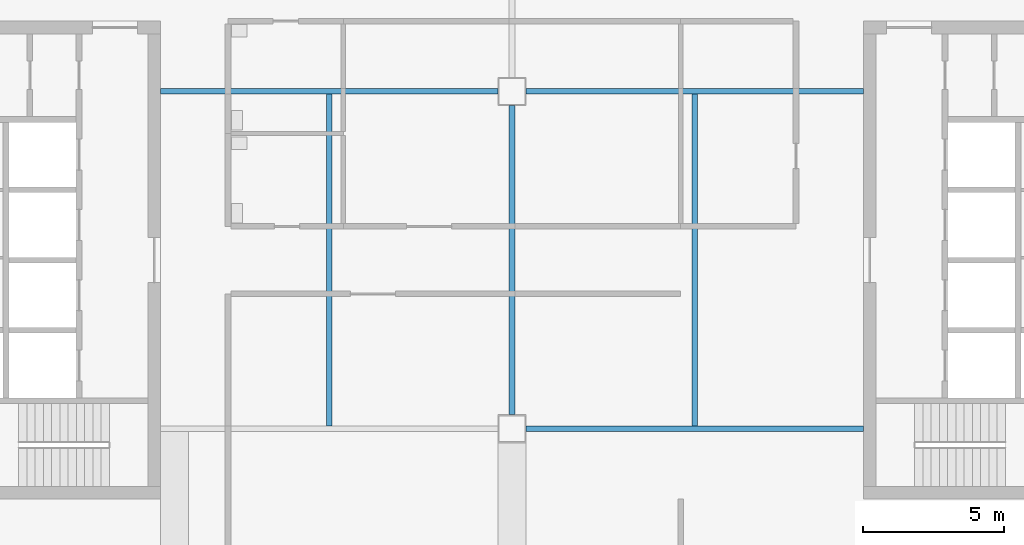
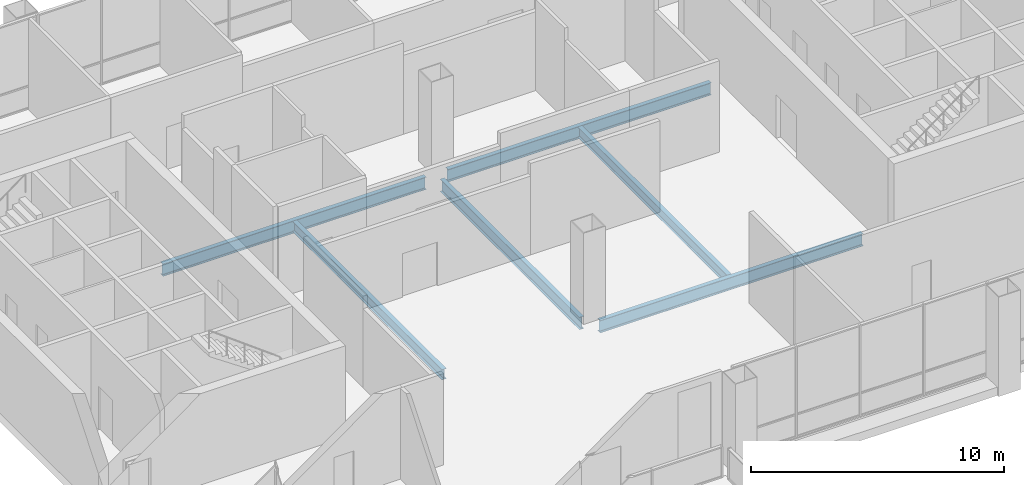
# One storey, part 5 of 15: 6 beams.
"""IFC4 building model written with IfcOpenShell, lengths in metres."""

import ifcopenshell
import ifcopenshell.guid

model = None  # the IFC model being written
_history = None  # IfcOwnerHistory: only IFC2X3 demands one
_inside = {}  # id of a spatial element -> (the spatial element, [elements in it])
_under = {}  # id of a project, library or spatial element -> (it, [spatial elements below it])
_declared = {}  # id of a project -> (the project, [libraries it declares])
_typed = {}  # id of a type object -> (the type object, [elements of that type])
_made_of = {}  # id of a material, layer set ... -> (it, [elements and type objects made of it])


def new_model(schema):
    """Start an empty IFC model of exactly this schema.

    Asked for "IFC4X3", IfcOpenShell would pick the latest addendum, in which some entities
    have other attributes; the version numbers below select the first issue.
    IFC2X3 requires an IfcOwnerHistory on every rooted entity: one is made here for all.
    """
    global model, _history
    if schema == "IFC4X3":
        model = ifcopenshell.file(schema_version=(4, 3, 0, 0))
    else:
        model = ifcopenshell.file(schema=schema)
    _inside.clear()
    _under.clear()
    _declared.clear()
    _typed.clear()
    _made_of.clear()
    _history = None
    if model.schema == "IFC2X3":
        org = make("IfcOrganization", Name="unknown")
        user = make(
            "IfcPersonAndOrganization",
            ThePerson=make("IfcPerson", FamilyName="unknown"),
            TheOrganization=org,
        )
        app = make(
            "IfcApplication",
            ApplicationDeveloper=org,
            Version="unknown",
            ApplicationFullName="unknown",
            ApplicationIdentifier="unknown",
        )
        _history = make(
            "IfcOwnerHistory",
            OwningUser=user,
            OwningApplication=app,
            ChangeAction="ADDED",
            CreationDate=0,
        )
    return model


def make(cls, **values):
    """One entity of the class cls with the attributes given. An attribute that is None is left unset."""
    return model.create_entity(
        cls, **{name: value for name, value in values.items() if value is not None}
    )


def rooted(cls, **values):
    """An entity with a GlobalId (a new one), such as an element, a storey or a relation."""
    return make(cls, GlobalId=ifcopenshell.guid.new(), OwnerHistory=_history, **values)


def si_unit(unit_type, name, prefix=None):
    """IfcSIUnit, for example si_unit("LENGTHUNIT", "METRE", prefix="MILLI")."""
    return make("IfcSIUnit", UnitType=unit_type, Prefix=prefix, Name=name)


def assignment(units):
    """IfcUnitAssignment: the units of a project."""
    return None if units is None else make("IfcUnitAssignment", Units=units)


def point(xyz):
    """IfcCartesianPoint."""
    return None if xyz is None else make("IfcCartesianPoint", Coordinates=xyz)


def direction(xyz):
    """IfcDirection."""
    return None if xyz is None else make("IfcDirection", DirectionRatios=xyz)


def frame(location, z_axis=None, x_axis=None):
    """IfcAxis2Placement3D, a coordinate frame: its origin and axes. An axis left out is left unset."""
    return make(
        "IfcAxis2Placement3D",
        Location=point(location),
        Axis=direction(z_axis),
        RefDirection=direction(x_axis),
    )


def frame_2d(location, x_axis=None):
    """IfcAxis2Placement2D, a coordinate frame in the plane: its origin and x axis."""
    return make(
        "IfcAxis2Placement2D", Location=point(location), RefDirection=direction(x_axis)
    )


def origin():
    """The frame at (0, 0, 0) with its axes left unset."""
    return frame((0.0, 0.0, 0.0))


def origin_2d():
    """The frame at (0, 0) in the plane with its x axis left unset."""
    return frame_2d((0.0, 0.0))


def place(relative_to, where):
    """IfcLocalPlacement: puts the frame where relative to a parent placement (None: the world)."""
    return make(
        "IfcLocalPlacement", PlacementRelTo=relative_to, RelativePlacement=where
    )


def context(
    kind, dimensions, precision=None, world=None, true_north=None, identifier=None
):
    """IfcGeometricRepresentationContext, for example the 3D "Model" context."""
    return make(
        "IfcGeometricRepresentationContext",
        ContextIdentifier=identifier,
        ContextType=kind,
        CoordinateSpaceDimension=dimensions,
        Precision=precision,
        WorldCoordinateSystem=world,
        TrueNorth=true_north,
    )


def subcontext(parent, identifier, kind, view, scale=None):
    """IfcGeometricRepresentationSubContext, for example "Body" below "Model"."""
    return make(
        "IfcGeometricRepresentationSubContext",
        ContextIdentifier=identifier,
        ContextType=kind,
        ParentContext=parent,
        TargetScale=scale,
        TargetView=view,
    )


def project(units=None, contexts=None):
    """IfcProject with its units and contexts."""
    return rooted(
        "IfcProject",
        Name="project",
        RepresentationContexts=contexts,
        UnitsInContext=assignment(units),
    )


def spatial(cls, under=None, at=None, **own):
    """A site, building, storey or space (cls), placed at a placement, below another one or the project."""
    s = rooted(cls, ObjectPlacement=at, **own)
    if under is not None:
        _under.setdefault(under.id(), (under, []))[1].append(s)
    return s


def profile(cls, at=None, kind="AREA", **sizes):
    """A parametric profile (cls). Its sizes go by their IFC names, for example OverallWidth=200.0."""
    return make(cls, ProfileType=kind, Position=at, **sizes)


def i_section(**sizes):
    """IfcIShapeProfileDef."""
    return profile("IfcIShapeProfileDef", **sizes)


def extrude(swept, where, along, depth):
    """IfcExtrudedAreaSolid: the profile swept, set in the frame where, extruded along a direction by depth."""
    return make(
        "IfcExtrudedAreaSolid",
        SweptArea=swept,
        Position=where,
        ExtrudedDirection=direction(along),
        Depth=depth,
    )


def shape(context_of_items, identifier, shape_type, items):
    """IfcShapeRepresentation: the items that make up one representation, for example the "Body"."""
    return make(
        "IfcShapeRepresentation",
        ContextOfItems=context_of_items,
        RepresentationIdentifier=identifier,
        RepresentationType=shape_type,
        Items=items,
    )


def material(Name=None, Category=None):
    """IfcMaterial."""
    return make("IfcMaterial", Name=Name, Category=Category)


def material_profile(
    of_material, cross_section, Name=None, Category=None, Priority=None
):
    """IfcMaterialProfile: a cross section and its material."""
    return make(
        "IfcMaterialProfile",
        Name=Name,
        Material=of_material,
        Profile=cross_section,
        Priority=Priority,
        Category=Category,
    )


def profile_set(profiles, Name=None, composite=None):
    """IfcMaterialProfileSet."""
    return make(
        "IfcMaterialProfileSet",
        Name=Name,
        MaterialProfiles=profiles,
        CompositeProfile=composite,
    )


def made_of(thing, what):
    """Note that an element or type object is made of a material, layer set ...; save() writes the relation."""
    if what is not None:
        _made_of.setdefault(what.id(), (what, []))[1].append(thing)
    return thing


def type_object(cls, material=None, **own):
    """A type object (cls), such as IfcWallType, which elements share."""
    return made_of(rooted(cls, **own), material)


def element(
    cls,
    number,
    at=None,
    inside=None,
    cuts=None,
    type_object=None,
    material=None,
    context=None,
    identifier="Body",
    shape_type=None,
    held_by="IfcProductDefinitionShape",
    body=None,
    shapes=None,
    **own,
):
    """One element of the class cls, such as IfcWall. Its Tag is "e" and its number.

    at: its placement. inside: the storey or other place that contains it. cuts: it is an
    opening in that element (IfcRelVoidsElement). A single representation is given by context,
    identifier, shape_type and body (its items); several are given by shapes. held_by: the class
    of the entity that holds the representations. save() writes the other relations.
    """
    e = rooted(cls, Tag="e%d" % number, ObjectPlacement=at, **own)
    if body is not None:
        shapes = [shape(context, identifier, shape_type, body)]
    if shapes is not None:
        e.Representation = make(held_by, Representations=shapes)
    if inside is not None:
        _inside.setdefault(inside.id(), (inside, []))[1].append(e)
    if cuts is not None:
        rooted(
            "IfcRelVoidsElement", RelatingBuildingElement=cuts, RelatedOpeningElement=e
        )
    if type_object is not None:
        _typed.setdefault(type_object.id(), (type_object, []))[1].append(e)
    return made_of(e, material)


def aggregate(whole, parts):
    """IfcRelAggregates: a whole, such as a stair, and the parts it consists of."""
    return rooted("IfcRelAggregates", RelatingObject=whole, RelatedObjects=parts)


def save(model, path):
    """Write the relations noted so far, then the file.

    IfcRelAggregates (storeys below a building ...), IfcRelContainedInSpatialStructure (elements
    in a storey), IfcRelDefinesByType, IfcRelAssociatesMaterial and IfcRelDeclares: one each for
    every whole, place, type object, material and project.
    """
    for whole, parts in _under.values():
        aggregate(whole, parts)
    for where, things in _inside.values():
        rooted(
            "IfcRelContainedInSpatialStructure",
            RelatedElements=things,
            RelatingStructure=where,
        )
    for kind, things in _typed.values():
        rooted("IfcRelDefinesByType", RelatedObjects=things, RelatingType=kind)
    for what, things in _made_of.values():
        rooted("IfcRelAssociatesMaterial", RelatedObjects=things, RelatingMaterial=what)
    for by, libraries in _declared.values():
        rooted("IfcRelDeclares", RelatingContext=by, RelatedDefinitions=libraries)
    model.write(path)


model = new_model("IFC4")

# Units and contexts
model_context = context("Model", 3, precision=1e-05, world=origin(), true_north=direction((0.0, 1.0)))
body_context = subcontext(model_context, "Body", "Model", "MODEL_VIEW")
ifc_project = project(units=[si_unit("LENGTHUNIT", "METRE"), si_unit("AREAUNIT", "SQUARE_METRE"), si_unit("VOLUMEUNIT", "CUBIC_METRE"), si_unit("PLANEANGLEUNIT", "RADIAN"), si_unit("MASSUNIT", "GRAM", prefix="KILO")], contexts=[model_context])

# Site, building, storey
site_placement = place(None, origin())
site = spatial("IfcSite", under=ifc_project, at=site_placement, CompositionType="ELEMENT")
building_placement = place(site_placement, origin())
building = spatial("IfcBuilding", under=site, at=building_placement, Name="Kitamizu Gate Tower and Museum", CompositionType="ELEMENT")
storey_placement = place(building_placement, frame((0.0, 0.0, 273.14990234375)))
storey = spatial("IfcBuildingStorey", under=building, at=storey_placement, Name="L74", CompositionType="ELEMENT", Elevation=273.14990234375)

# Beams
ifc_material_1 = material(Name="Steel SM490A", Category="steel")
ifc_material_profile_1 = material_profile(ifc_material_1, i_section(OverallWidth=0.199951171875, OverallDepth=0.5, WebThickness=0.010009765625, FlangeThickness=0.01611328125, FilletRadius=0.02001953125, at=origin_2d()), Name="H-500x200x10x16")
ifc_profile_set_1 = profile_set([ifc_material_profile_1], Name="Steel SM490A")
beam_type_1 = type_object("IfcBeamType", Name="Floor beam FB1 H 500x200x10x16", PredefinedType="BEAM", material=ifc_profile_set_1)
for number, where, z_axis, x_axis, name in (
    (1, (29.5, 24.10009765625, -0.64990234375), (0.0, 1.0, 0.0), (-1.0, 0.0, 0.0), "Floor beam FB1 L74-1"),
    (2, (42.5, 24.10009765625, -0.64990234375), (0.0, 1.0, 0.0), (-1.0, 0.0, 0.0), "Floor beam FB1 L74-2"),
):
    element("IfcBeam", number, at=place(storey_placement, frame(where, z_axis=z_axis, x_axis=x_axis)), inside=storey, type_object=beam_type_1, Name=name, PredefinedType="BEAM", context=body_context, shape_type="SweptSolid", body=[
        extrude(i_section(OverallWidth=0.199951171875, OverallDepth=0.5, WebThickness=0.010009765625, FlangeThickness=0.01611328125, FilletRadius=0.02001953125, at=origin_2d()), origin(), (0.0, 0.0, 1.0), 11.7998046875),
    ])
ifc_material_2 = material(Name="Steel SM490A", Category="steel")
ifc_material_profile_2 = material_profile(ifc_material_2, i_section(OverallWidth=0.199951171875, OverallDepth=0.60009765625, WebThickness=0.010986328125, FlangeThickness=0.01708984375, FilletRadius=0.02197265625, at=origin_2d()), Name="H-600x200x11x17")
ifc_profile_set_2 = profile_set([ifc_material_profile_2], Name="Steel SM490A")
beam_type_2 = type_object("IfcBeamType", Name="Floor girder FG1 H 600x200x11x17", PredefinedType="BEAM", material=ifc_profile_set_2)
beam_placement = place(storey_placement, frame((36.0, 24.5, -0.699951171875), z_axis=(0.0, 1.0, 0.0), x_axis=(-1.0, 0.0, 0.0)))
element("IfcBeam", 3, at=beam_placement, inside=storey, type_object=beam_type_2, Name="Floor girder FG1 x36 L74", PredefinedType="BEAM", context=body_context, shape_type="SweptSolid", body=[
    extrude(i_section(OverallWidth=0.199951171875, OverallDepth=0.60009765625, WebThickness=0.010986328125, FlangeThickness=0.01708984375, FilletRadius=0.02197265625, at=origin_2d()), origin(), (0.0, 0.0, 1.0), 11.0),
])
for number, where, z_axis, x_axis, name in (
    (4, (36.5, 24.0, -0.699951171875), (1.0, 0.0, 0.0), (0.0, 1.0, 0.0), "Floor girder FG1 y24 L74"),
    (5, (23.5, 36.0, -0.699951171875), (1.0, 0.0, 0.0), (0.0, 1.0, 0.0), "Floor girder FG1 y36 L74"),
    (6, (36.5, 36.0, -0.699951171875), (1.0, 0.0, 0.0), (0.0, 1.0, 0.0), "Floor girder FG1 y36 L74"),
):
    element("IfcBeam", number, at=place(storey_placement, frame(where, z_axis=z_axis, x_axis=x_axis)), inside=storey, type_object=beam_type_2, Name=name, PredefinedType="BEAM", context=body_context, shape_type="SweptSolid", body=[
        extrude(i_section(OverallWidth=0.199951171875, OverallDepth=0.60009765625, WebThickness=0.010986328125, FlangeThickness=0.01708984375, FilletRadius=0.02197265625, at=origin_2d()), origin(), (0.0, 0.0, 1.0), 12.0),
    ])

save(model, "model.ifc")
